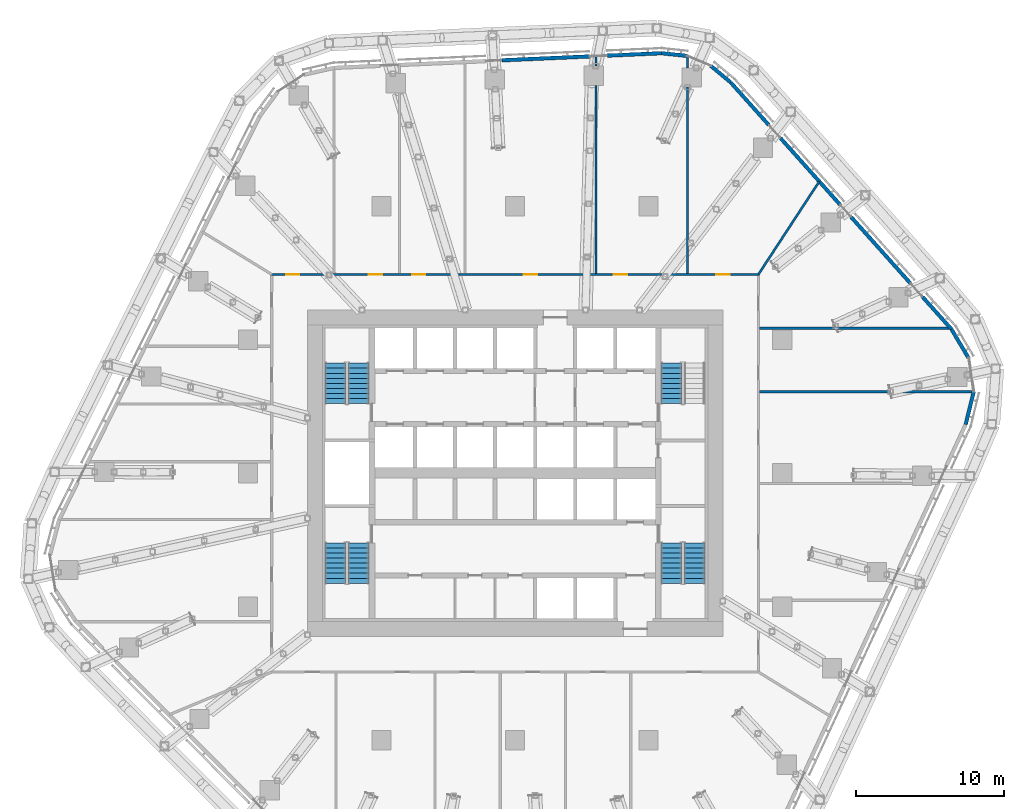
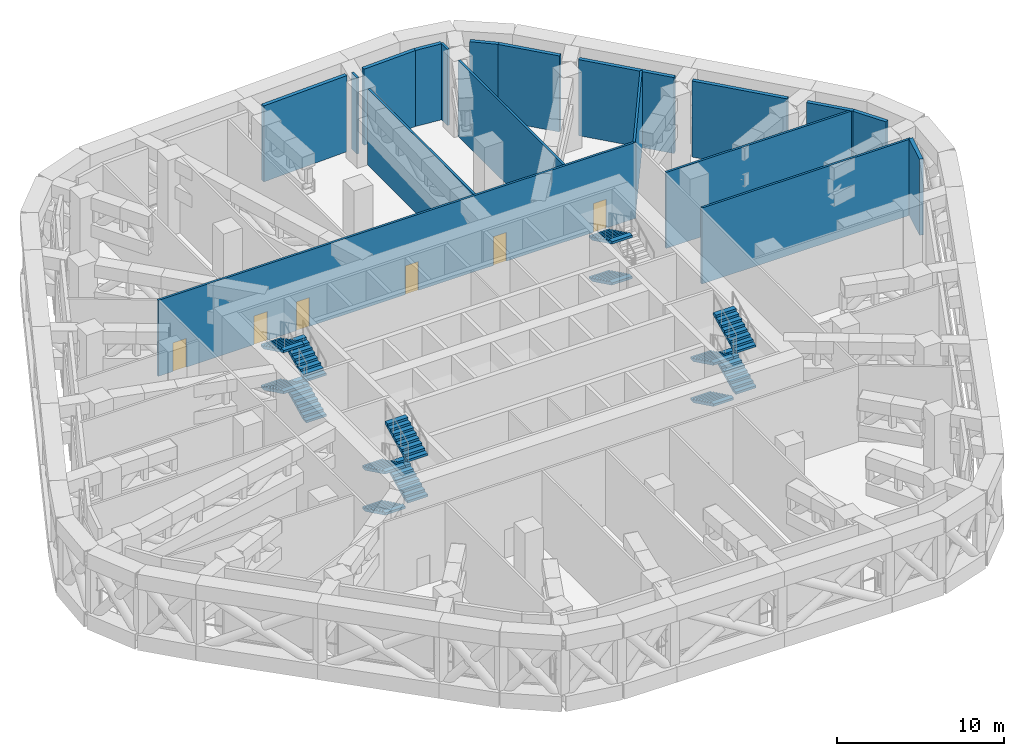
# One storey, part 19 of 30: 18 walls, 14 stair flights, 6 doors, 6 openings, 4 elements without a shape of their own.
"""IFC4 building model written with IfcOpenShell, lengths in metres."""

import ifcopenshell
import ifcopenshell.guid

model = None  # the IFC model being written
_history = None  # IfcOwnerHistory: only IFC2X3 demands one
_inside = {}  # id of a spatial element -> (the spatial element, [elements in it])
_under = {}  # id of a project, library or spatial element -> (it, [spatial elements below it])
_declared = {}  # id of a project -> (the project, [libraries it declares])
_typed = {}  # id of a type object -> (the type object, [elements of that type])
_made_of = {}  # id of a material, layer set ... -> (it, [elements and type objects made of it])


def new_model(schema):
    """Start an empty IFC model of exactly this schema.

    Asked for "IFC4X3", IfcOpenShell would pick the latest addendum, in which some entities
    have other attributes; the version numbers below select the first issue.
    IFC2X3 requires an IfcOwnerHistory on every rooted entity: one is made here for all.
    """
    global model, _history
    if schema == "IFC4X3":
        model = ifcopenshell.file(schema_version=(4, 3, 0, 0))
    else:
        model = ifcopenshell.file(schema=schema)
    _inside.clear()
    _under.clear()
    _declared.clear()
    _typed.clear()
    _made_of.clear()
    _history = None
    if model.schema == "IFC2X3":
        org = make("IfcOrganization", Name="unknown")
        user = make(
            "IfcPersonAndOrganization",
            ThePerson=make("IfcPerson", FamilyName="unknown"),
            TheOrganization=org,
        )
        app = make(
            "IfcApplication",
            ApplicationDeveloper=org,
            Version="unknown",
            ApplicationFullName="unknown",
            ApplicationIdentifier="unknown",
        )
        _history = make(
            "IfcOwnerHistory",
            OwningUser=user,
            OwningApplication=app,
            ChangeAction="ADDED",
            CreationDate=0,
        )
    return model


def make(cls, **values):
    """One entity of the class cls with the attributes given. An attribute that is None is left unset."""
    return model.create_entity(
        cls, **{name: value for name, value in values.items() if value is not None}
    )


def rooted(cls, **values):
    """An entity with a GlobalId (a new one), such as an element, a storey or a relation."""
    return make(cls, GlobalId=ifcopenshell.guid.new(), OwnerHistory=_history, **values)


def si_unit(unit_type, name, prefix=None):
    """IfcSIUnit, for example si_unit("LENGTHUNIT", "METRE", prefix="MILLI")."""
    return make("IfcSIUnit", UnitType=unit_type, Prefix=prefix, Name=name)


def assignment(units):
    """IfcUnitAssignment: the units of a project."""
    return None if units is None else make("IfcUnitAssignment", Units=units)


def point(xyz):
    """IfcCartesianPoint."""
    return None if xyz is None else make("IfcCartesianPoint", Coordinates=xyz)


def direction(xyz):
    """IfcDirection."""
    return None if xyz is None else make("IfcDirection", DirectionRatios=xyz)


def frame(location, z_axis=None, x_axis=None):
    """IfcAxis2Placement3D, a coordinate frame: its origin and axes. An axis left out is left unset."""
    return make(
        "IfcAxis2Placement3D",
        Location=point(location),
        Axis=direction(z_axis),
        RefDirection=direction(x_axis),
    )


def frame_2d(location, x_axis=None):
    """IfcAxis2Placement2D, a coordinate frame in the plane: its origin and x axis."""
    return make(
        "IfcAxis2Placement2D", Location=point(location), RefDirection=direction(x_axis)
    )


def origin():
    """The frame at (0, 0, 0) with its axes left unset."""
    return frame((0.0, 0.0, 0.0))


def place(relative_to, where):
    """IfcLocalPlacement: puts the frame where relative to a parent placement (None: the world)."""
    return make(
        "IfcLocalPlacement", PlacementRelTo=relative_to, RelativePlacement=where
    )


def context(
    kind, dimensions, precision=None, world=None, true_north=None, identifier=None
):
    """IfcGeometricRepresentationContext, for example the 3D "Model" context."""
    return make(
        "IfcGeometricRepresentationContext",
        ContextIdentifier=identifier,
        ContextType=kind,
        CoordinateSpaceDimension=dimensions,
        Precision=precision,
        WorldCoordinateSystem=world,
        TrueNorth=true_north,
    )


def subcontext(parent, identifier, kind, view, scale=None):
    """IfcGeometricRepresentationSubContext, for example "Body" below "Model"."""
    return make(
        "IfcGeometricRepresentationSubContext",
        ContextIdentifier=identifier,
        ContextType=kind,
        ParentContext=parent,
        TargetScale=scale,
        TargetView=view,
    )


def project(units=None, contexts=None):
    """IfcProject with its units and contexts."""
    return rooted(
        "IfcProject",
        Name="project",
        RepresentationContexts=contexts,
        UnitsInContext=assignment(units),
    )


def spatial(cls, under=None, at=None, **own):
    """A site, building, storey or space (cls), placed at a placement, below another one or the project."""
    s = rooted(cls, ObjectPlacement=at, **own)
    if under is not None:
        _under.setdefault(under.id(), (under, []))[1].append(s)
    return s


def polyline(points):
    """IfcPolyline through the points."""
    return make("IfcPolyline", Points=[point(p) for p in points])


def profile(cls, at=None, kind="AREA", **sizes):
    """A parametric profile (cls). Its sizes go by their IFC names, for example OverallWidth=200.0."""
    return make(cls, ProfileType=kind, Position=at, **sizes)


def rectangle(**sizes):
    """IfcRectangleProfileDef."""
    return profile("IfcRectangleProfileDef", **sizes)


def outline(outer, holes=None, kind="AREA"):
    """IfcArbitraryClosedProfileDef: a profile drawn as a closed curve; with holes, ...WithVoids."""
    if holes is None:
        return make("IfcArbitraryClosedProfileDef", ProfileType=kind, OuterCurve=outer)
    return make(
        "IfcArbitraryProfileDefWithVoids",
        ProfileType=kind,
        OuterCurve=outer,
        InnerCurves=holes,
    )


def extrude(swept, where, along, depth):
    """IfcExtrudedAreaSolid: the profile swept, set in the frame where, extruded along a direction by depth."""
    return make(
        "IfcExtrudedAreaSolid",
        SweptArea=swept,
        Position=where,
        ExtrudedDirection=direction(along),
        Depth=depth,
    )


def shape(context_of_items, identifier, shape_type, items):
    """IfcShapeRepresentation: the items that make up one representation, for example the "Body"."""
    return make(
        "IfcShapeRepresentation",
        ContextOfItems=context_of_items,
        RepresentationIdentifier=identifier,
        RepresentationType=shape_type,
        Items=items,
    )


def material(Name=None, Category=None):
    """IfcMaterial."""
    return make("IfcMaterial", Name=Name, Category=Category)


def layer(
    of_material, thickness, ventilated=None, Name=None, Category=None, Priority=None
):
    """IfcMaterialLayer: one layer of a wall or slab, of a material (None: an air gap)."""
    return make(
        "IfcMaterialLayer",
        Material=of_material,
        LayerThickness=thickness,
        IsVentilated=ventilated,
        Name=Name,
        Category=Category,
        Priority=Priority,
    )


def layer_set(layers, Name=None):
    """IfcMaterialLayerSet."""
    return make("IfcMaterialLayerSet", MaterialLayers=layers, LayerSetName=Name)


def made_of(thing, what):
    """Note that an element or type object is made of a material, layer set ...; save() writes the relation."""
    if what is not None:
        _made_of.setdefault(what.id(), (what, []))[1].append(thing)
    return thing


def type_object(cls, material=None, **own):
    """A type object (cls), such as IfcWallType, which elements share."""
    return made_of(rooted(cls, **own), material)


def element(
    cls,
    number,
    at=None,
    inside=None,
    cuts=None,
    type_object=None,
    material=None,
    context=None,
    identifier="Body",
    shape_type=None,
    held_by="IfcProductDefinitionShape",
    body=None,
    shapes=None,
    **own,
):
    """One element of the class cls, such as IfcWall. Its Tag is "e" and its number.

    at: its placement. inside: the storey or other place that contains it. cuts: it is an
    opening in that element (IfcRelVoidsElement). A single representation is given by context,
    identifier, shape_type and body (its items); several are given by shapes. held_by: the class
    of the entity that holds the representations. save() writes the other relations.
    """
    e = rooted(cls, Tag="e%d" % number, ObjectPlacement=at, **own)
    if body is not None:
        shapes = [shape(context, identifier, shape_type, body)]
    if shapes is not None:
        e.Representation = make(held_by, Representations=shapes)
    if inside is not None:
        _inside.setdefault(inside.id(), (inside, []))[1].append(e)
    if cuts is not None:
        rooted(
            "IfcRelVoidsElement", RelatingBuildingElement=cuts, RelatedOpeningElement=e
        )
    if type_object is not None:
        _typed.setdefault(type_object.id(), (type_object, []))[1].append(e)
    return made_of(e, material)


def fill(opening, filler):
    """IfcRelFillsElement: the door or window that sits in an opening."""
    return rooted(
        "IfcRelFillsElement",
        RelatingOpeningElement=opening,
        RelatedBuildingElement=filler,
    )


def aggregate(whole, parts):
    """IfcRelAggregates: a whole, such as a stair, and the parts it consists of."""
    return rooted("IfcRelAggregates", RelatingObject=whole, RelatedObjects=parts)


def save(model, path):
    """Write the relations noted so far, then the file.

    IfcRelAggregates (storeys below a building ...), IfcRelContainedInSpatialStructure (elements
    in a storey), IfcRelDefinesByType, IfcRelAssociatesMaterial and IfcRelDeclares: one each for
    every whole, place, type object, material and project.
    """
    for whole, parts in _under.values():
        aggregate(whole, parts)
    for where, things in _inside.values():
        rooted(
            "IfcRelContainedInSpatialStructure",
            RelatedElements=things,
            RelatingStructure=where,
        )
    for kind, things in _typed.values():
        rooted("IfcRelDefinesByType", RelatedObjects=things, RelatingType=kind)
    for what, things in _made_of.values():
        rooted("IfcRelAssociatesMaterial", RelatedObjects=things, RelatingMaterial=what)
    for by, libraries in _declared.values():
        rooted("IfcRelDeclares", RelatingContext=by, RelatedDefinitions=libraries)
    model.write(path)


model = new_model("IFC4")

# Units and contexts
model_context = context("Model", 3, precision=1e-05, world=origin(), true_north=direction((0.0, 1.0)))
body_context = subcontext(model_context, "Body", "Model", "MODEL_VIEW")
ifc_project = project(units=[si_unit("LENGTHUNIT", "METRE"), si_unit("AREAUNIT", "SQUARE_METRE"), si_unit("VOLUMEUNIT", "CUBIC_METRE"), si_unit("PLANEANGLEUNIT", "RADIAN"), si_unit("MASSUNIT", "GRAM", prefix="KILO")], contexts=[model_context])

# Site, building, storey
site_placement = place(None, origin())
site = spatial("IfcSite", under=ifc_project, at=site_placement, CompositionType="ELEMENT")
building_placement = place(site_placement, origin())
building = spatial("IfcBuilding", under=site, at=building_placement, Name="Dongbaek Canopy Tower", CompositionType="ELEMENT")
storey_placement = place(building_placement, frame((0.0, 0.0, 145.60009765625)))
storey = spatial("IfcBuildingStorey", under=building, at=storey_placement, Name="L32", CompositionType="ELEMENT", Elevation=145.60009765625)

# Walls
ifc_material_1 = material(Name="Gypsum board partition, steel stud, 2 x 15 mm fire board", Category="steel")
ifc_layer_1 = layer(ifc_material_1, 0.14990234375)
ifc_layer_set_1 = layer_set([ifc_layer_1], Name="Fire-rated partition 150 gypsum board")
wall_type_1 = type_object("IfcWallType", Name="Fire-rated partition 150 gypsum board", PredefinedType="PARTITIONING", material=ifc_layer_set_1)
wall_1_placement = place(storey_placement, frame((16.47509765625, 5.4951171875, 0.0), z_axis=(0.0, 0.0, 1.0), x_axis=(1.0, 0.0, 0.0)))
element("IfcWall", 1, at=wall_1_placement, inside=storey, type_object=wall_type_1, Name="Corridor partition", PredefinedType="PARTITIONING", context=body_context, shape_type="SweptSolid", body=[
    extrude(rectangle(XDim=14.424072265625, YDim=0.14990234375, at=frame_2d((7.2119140625, 0.0))), origin(), (0.0, 0.0, 1.0), 5.5498046875),
])
wall_2_placement = place(storey_placement, frame((16.47509765625, 9.77099609375, 0.0), z_axis=(0.0, 0.0, 1.0), x_axis=(1.0, 0.0, 0.0)))
element("IfcWall", 2, at=wall_2_placement, inside=storey, type_object=wall_type_1, Name="Corridor partition", PredefinedType="PARTITIONING", context=body_context, shape_type="SweptSolid", body=[
    extrude(rectangle(XDim=12.86474609375, YDim=0.14990234375, at=frame_2d((6.432373046875, 0.0))), origin(), (0.0, 0.0, 1.0), 5.5498046875),
])

# Wall, openings, doors
wall_3_placement = place(storey_placement, frame((-16.47509765625, 13.39990234375, 0.0), z_axis=(0.0, 0.0, 1.0), x_axis=(1.0, 0.0, 0.0)))
wall_3 = element("IfcWall", 3, at=wall_3_placement, inside=storey, type_object=wall_type_1, Name="Corridor partition", PredefinedType="PARTITIONING", context=body_context, shape_type="SweptSolid", body=[
    extrude(rectangle(XDim=32.9501953125, YDim=0.14990234375, at=frame_2d((16.47509765625, 0.0))), origin(), (0.0, 0.0, 1.0), 5.5498046875),
])
opening_1_placement = place(wall_3_placement, frame((30.035888671875, 0.0, 0.0)))
opening_1 = element("IfcOpeningElement", 4, at=opening_1_placement, cuts=wall_3, Name="Opening L32-D015", PredefinedType="OPENING", context=body_context, shape_type="SweptSolid", body=[
    extrude(rectangle(XDim=0.89990234375, YDim=2.10009765625, at=frame_2d((0.449951171875, 1.050048828125))), frame((0.0, 0.0849609375, 0.0), z_axis=(0.0, -1.0, 0.0), x_axis=(1.0, 0.0, 0.0)), (0.0, 0.0, 1.0), 0.169921875),
])
opening_2_placement = place(wall_3_placement, frame((23.12939453125, 0.0, 0.0)))
opening_2 = element("IfcOpeningElement", 5, at=opening_2_placement, cuts=wall_3, Name="Opening L32-D016", PredefinedType="OPENING", context=body_context, shape_type="SweptSolid", body=[
    extrude(rectangle(XDim=0.89990234375, YDim=2.10009765625, at=frame_2d((0.449951171875, 1.050048828125))), frame((0.0, 0.0849609375, 0.0), z_axis=(0.0, -1.0, 0.0), x_axis=(1.0, 0.0, 0.0)), (0.0, 0.0, 1.0), 0.169921875),
])
opening_3_placement = place(wall_3_placement, frame((17.05859375, 0.0, 0.0)))
opening_3 = element("IfcOpeningElement", 6, at=opening_3_placement, cuts=wall_3, Name="Opening L32-D017", PredefinedType="OPENING", context=body_context, shape_type="SweptSolid", body=[
    extrude(rectangle(XDim=0.89990234375, YDim=2.10009765625, at=frame_2d((0.449951171875, 1.050048828125))), frame((0.0, 0.0849609375, 0.0), z_axis=(0.0, -1.0, 0.0), x_axis=(1.0, 0.0, 0.0)), (0.0, 0.0, 1.0), 0.169921875),
])
opening_4_placement = place(wall_3_placement, frame((9.528564453125, 0.0, 0.0)))
opening_4 = element("IfcOpeningElement", 7, at=opening_4_placement, cuts=wall_3, Name="Opening L32-D018", PredefinedType="OPENING", context=body_context, shape_type="SweptSolid", body=[
    extrude(rectangle(XDim=0.89990234375, YDim=2.10009765625, at=frame_2d((0.449951171875, 1.050048828125))), frame((0.0, 0.0849609375, 0.0), z_axis=(0.0, -1.0, 0.0), x_axis=(1.0, 0.0, 0.0)), (0.0, 0.0, 1.0), 0.169921875),
])
opening_5_placement = place(wall_3_placement, frame((6.6201171875, 0.0, 0.0)))
opening_5 = element("IfcOpeningElement", 8, at=opening_5_placement, cuts=wall_3, Name="Opening L32-D019", PredefinedType="OPENING", context=body_context, shape_type="SweptSolid", body=[
    extrude(rectangle(XDim=0.89990234375, YDim=2.10009765625, at=frame_2d((0.449951171875, 1.050048828125))), frame((0.0, 0.0849609375, 0.0), z_axis=(0.0, -1.0, 0.0), x_axis=(1.0, 0.0, 0.0)), (0.0, 0.0, 1.0), 0.169921875),
])
opening_6_placement = place(wall_3_placement, frame((1.03125, 0.0, 0.0)))
opening_6 = element("IfcOpeningElement", 9, at=opening_6_placement, cuts=wall_3, Name="Opening L32-D020", PredefinedType="OPENING", context=body_context, shape_type="SweptSolid", body=[
    extrude(rectangle(XDim=0.89990234375, YDim=2.10009765625, at=frame_2d((0.449951171875, 1.050048828125))), frame((0.0, 0.0849609375, 0.0), z_axis=(0.0, -1.0, 0.0), x_axis=(1.0, 0.0, 0.0)), (0.0, 0.0, 1.0), 0.169921875),
])
ifc_material_2 = material(Name="Timber veneered door leaf", Category="wood")
door_type_1 = type_object("IfcDoorType", Name="Room door 900 x 2100", OperationType="SINGLE_SWING_LEFT", PredefinedType="DOOR", material=ifc_material_2)
door_1_placement = place(opening_2_placement, origin())
door_1 = element("IfcDoor", 10, at=door_1_placement, inside=storey, type_object=door_type_1, Name="Door L32-D016", OperationType="SINGLE_SWING_LEFT", OverallHeight=2.10009765625, OverallWidth=0.89990234375, PredefinedType="DOOR", context=body_context, shape_type="SweptSolid", body=[
    extrude(rectangle(XDim=0.89990234375, YDim=2.10009765625, at=frame_2d((0.449951171875, 1.050048828125))), frame((0.0, 0.02490234375, 0.0), z_axis=(0.0, -1.0, 0.0), x_axis=(1.0, 0.0, 0.0)), (0.0, 0.0, 1.0), 0.050048828125),
])
fill(opening_2, door_1)
door_2_placement = place(opening_3_placement, origin())
door_2 = element("IfcDoor", 11, at=door_2_placement, inside=storey, type_object=door_type_1, Name="Door L32-D017", OperationType="SINGLE_SWING_RIGHT", OverallHeight=2.10009765625, OverallWidth=0.89990234375, PredefinedType="DOOR", context=body_context, shape_type="SweptSolid", body=[
    extrude(rectangle(XDim=0.89990234375, YDim=2.10009765625, at=frame_2d((0.449951171875, 1.050048828125))), frame((0.0, 0.02490234375, 0.0), z_axis=(0.0, -1.0, 0.0), x_axis=(1.0, 0.0, 0.0)), (0.0, 0.0, 1.0), 0.050048828125),
])
fill(opening_3, door_2)
ifc_material_3 = material(Name="Timber veneered door leaf", Category="wood")
door_type_2 = type_object("IfcDoorType", Name="Store door 900 x 2100", OperationType="SINGLE_SWING_LEFT", PredefinedType="DOOR", material=ifc_material_3)
door_3_placement = place(opening_1_placement, origin())
door_3 = element("IfcDoor", 12, at=door_3_placement, inside=storey, type_object=door_type_2, Name="Door L32-D015", OperationType="SINGLE_SWING_RIGHT", OverallHeight=2.10009765625, OverallWidth=0.89990234375, PredefinedType="DOOR", context=body_context, shape_type="SweptSolid", body=[
    extrude(rectangle(XDim=0.89990234375, YDim=2.10009765625, at=frame_2d((0.449951171875, 1.050048828125))), frame((0.0, 0.02490234375, 0.0), z_axis=(0.0, -1.0, 0.0), x_axis=(1.0, 0.0, 0.0)), (0.0, 0.0, 1.0), 0.050048828125),
])
fill(opening_1, door_3)
door_4_placement = place(opening_4_placement, origin())
door_4 = element("IfcDoor", 13, at=door_4_placement, inside=storey, type_object=door_type_2, Name="Door L32-D018", OperationType="SINGLE_SWING_LEFT", OverallHeight=2.10009765625, OverallWidth=0.89990234375, PredefinedType="DOOR", context=body_context, shape_type="SweptSolid", body=[
    extrude(rectangle(XDim=0.89990234375, YDim=2.10009765625, at=frame_2d((0.449951171875, 1.050048828125))), frame((0.0, 0.02490234375, 0.0), z_axis=(0.0, -1.0, 0.0), x_axis=(1.0, 0.0, 0.0)), (0.0, 0.0, 1.0), 0.050048828125),
])
fill(opening_4, door_4)
door_5_placement = place(opening_5_placement, origin())
door_5 = element("IfcDoor", 14, at=door_5_placement, inside=storey, type_object=door_type_2, Name="Door L32-D019", OperationType="SINGLE_SWING_RIGHT", OverallHeight=2.10009765625, OverallWidth=0.89990234375, PredefinedType="DOOR", context=body_context, shape_type="SweptSolid", body=[
    extrude(rectangle(XDim=0.89990234375, YDim=2.10009765625, at=frame_2d((0.449951171875, 1.050048828125))), frame((0.0, 0.02490234375, 0.0), z_axis=(0.0, -1.0, 0.0), x_axis=(1.0, 0.0, 0.0)), (0.0, 0.0, 1.0), 0.050048828125),
])
fill(opening_5, door_5)
door_6_placement = place(opening_6_placement, origin())
door_6 = element("IfcDoor", 15, at=door_6_placement, inside=storey, type_object=door_type_2, Name="Door L32-D020", OperationType="SINGLE_SWING_LEFT", OverallHeight=2.10009765625, OverallWidth=0.89990234375, PredefinedType="DOOR", context=body_context, shape_type="SweptSolid", body=[
    extrude(rectangle(XDim=0.89990234375, YDim=2.10009765625, at=frame_2d((0.449951171875, 1.050048828125))), frame((0.0, 0.02490234375, 0.0), z_axis=(0.0, -1.0, 0.0), x_axis=(1.0, 0.0, 0.0)), (0.0, 0.0, 1.0), 0.050048828125),
])
fill(opening_6, door_6)

# Walls
wall_4_placement = place(storey_placement, frame((16.400390625, 13.39990234375, 0.0), z_axis=(0.0, 0.0, 1.0), x_axis=(0.547576489489, 0.836755632284, 0.0)))
element("IfcWall", 16, at=wall_4_placement, inside=storey, type_object=wall_type_1, Name="Corridor partition", PredefinedType="PARTITIONING", context=body_context, shape_type="SweptSolid", body=[
    extrude(rectangle(XDim=7.479248046875, YDim=0.14990234375, at=frame_2d((3.73974609375, 0.0))), origin(), (0.0, 0.0, 1.0), 5.5498046875),
])
wall_5_placement = place(storey_placement, frame((11.6220703125, 13.47509765625, 0.0), z_axis=(0.0, 0.0, 1.0), x_axis=(0.0, 1.0, 0.0)))
element("IfcWall", 17, at=wall_5_placement, inside=storey, type_object=wall_type_1, Name="Corridor partition", PredefinedType="PARTITIONING", context=body_context, shape_type="SweptSolid", body=[
    extrude(rectangle(XDim=12.548828125, YDim=0.14990234375, at=frame_2d((6.2744140625, 0.0))), origin(), (0.0, 0.0, 1.0), 5.5498046875),
])
wall_6_placement = place(storey_placement, frame((11.6220703125, 27.323974609375, 0.0), z_axis=(0.0, 0.0, 1.0), x_axis=(0.0, 1.0, 0.0)))
element("IfcWall", 18, at=wall_6_placement, inside=storey, type_object=wall_type_1, Name="Corridor partition", PredefinedType="PARTITIONING", context=body_context, shape_type="SweptSolid", body=[
    extrude(rectangle(XDim=0.78125, YDim=0.14990234375, at=frame_2d((0.390625, 0.0))), origin(), (0.0, 0.0, 1.0), 5.5498046875),
])
wall_7_placement = place(storey_placement, frame((5.449951171875, 13.47509765625, 0.0), z_axis=(0.0, 0.0, 1.0), x_axis=(0.0, 1.0, 0.0)))
element("IfcWall", 19, at=wall_7_placement, inside=storey, type_object=wall_type_1, Name="Corridor partition", PredefinedType="PARTITIONING", context=body_context, shape_type="SweptSolid", body=[
    extrude(rectangle(XDim=12.6728515625, YDim=0.14990234375, at=frame_2d((6.33642578125, 0.0))), origin(), (0.0, 0.0, 1.0), 5.5498046875),
])
wall_8_placement = place(storey_placement, frame((5.449951171875, 27.447998046875, 0.0), z_axis=(0.0, 0.0, 1.0), x_axis=(0.0, 1.0, 0.0)))
element("IfcWall", 20, at=wall_8_placement, inside=storey, type_object=wall_type_1, Name="Corridor partition", PredefinedType="PARTITIONING", context=body_context, shape_type="SweptSolid", body=[
    extrude(rectangle(XDim=0.653076171875, YDim=0.14990234375, at=frame_2d((0.32666015625, 0.0))), origin(), (0.0, 0.0, 1.0), 5.5498046875),
])
ifc_material_4 = material(Name="Pale metal cladding on insulated wall")
ifc_layer_2 = layer(ifc_material_4, 0.25)
ifc_layer_set_2 = layer_set([ifc_layer_2], Name="Plant floor wall 250")
wall_type_2 = type_object("IfcWallType", Name="Plant floor wall 250", PredefinedType="SOLIDWALL", material=ifc_layer_set_2)
wall_9_placement = place(storey_placement, frame((30.37841796875, 3.2822265625, 0.0), z_axis=(0.0, 0.0, 1.0), x_axis=(0.237601077283, 0.971362819998, 0.0)))
element("IfcWall", 21, at=wall_9_placement, inside=storey, type_object=wall_type_2, Name="Plant wall L32 K0 1", PredefinedType="SOLIDWALL", context=body_context, shape_type="SweptSolid", body=[
    extrude(rectangle(XDim=2.283203125, YDim=0.25, at=frame_2d((1.1416015625, 0.0))), origin(), (0.0, 0.0, 1.0), 5.5498046875),
])
wall_10_placement = place(storey_placement, frame((30.585693359375, 7.74853515625, 0.0), z_axis=(0.0, 0.0, 1.0), x_axis=(-0.510543694861, 0.859851810277, 0.0)))
element("IfcWall", 22, at=wall_10_placement, inside=storey, type_object=wall_type_2, Name="Plant wall L32 K0 2", PredefinedType="SOLIDWALL", context=body_context, shape_type="SweptSolid", body=[
    extrude(rectangle(XDim=2.283447265625, YDim=0.25, at=frame_2d((1.1416015625, 0.0))), origin(), (0.0, 0.0, 1.0), 5.5498046875),
])
wall_11_placement = place(storey_placement, frame((29.419921875, 9.7119140625, 0.0), z_axis=(0.0, 0.0, 1.0), x_axis=(-0.666716813435, 0.74531113683, 0.0)))
element("IfcWall", 23, at=wall_11_placement, inside=storey, type_object=wall_type_2, Name="Plant wall L32 F0 1", PredefinedType="SOLIDWALL", context=body_context, shape_type="SweptSolid", body=[
    extrude(rectangle(XDim=2.92626953125, YDim=0.25, at=frame_2d((1.463134765625, 0.0))), origin(), (0.0, 0.0, 1.0), 5.5498046875),
])
wall_12_placement = place(storey_placement, frame((26.648193359375, 12.810302734375, 0.0), z_axis=(0.0, 0.0, 1.0), x_axis=(-0.666711259846, 0.745316104747, 0.0)))
element("IfcWall", 24, at=wall_12_placement, inside=storey, type_object=wall_type_2, Name="Plant wall L32 F0 2", PredefinedType="SOLIDWALL", context=body_context, shape_type="SweptSolid", body=[
    extrude(rectangle(XDim=5.975830078125, YDim=0.25, at=frame_2d((2.98779296875, 0.0))), origin(), (0.0, 0.0, 1.0), 5.5498046875),
])
wall_13_placement = place(storey_placement, frame((21.9140625, 18.1025390625, 0.0), z_axis=(0.0, 0.0, 1.0), x_axis=(-0.666722592177, 0.745305967426, 0.0)))
element("IfcWall", 25, at=wall_13_placement, inside=storey, type_object=wall_type_2, Name="Plant wall L32 F0 3", PredefinedType="SOLIDWALL", context=body_context, shape_type="SweptSolid", body=[
    extrude(rectangle(XDim=6.02392578125, YDim=0.25, at=frame_2d((3.011962890625, 0.0))), origin(), (0.0, 0.0, 1.0), 5.5498046875),
])
wall_14_placement = place(storey_placement, frame((17.110107421875, 23.472900390625, 0.0), z_axis=(0.0, 0.0, 1.0), x_axis=(-0.666726487427, 0.745302482864, 0.0)))
element("IfcWall", 26, at=wall_14_placement, inside=storey, type_object=wall_type_2, Name="Plant wall L32 F0 4", PredefinedType="SOLIDWALL", context=body_context, shape_type="SweptSolid", body=[
    extrude(rectangle(XDim=3.862060546875, YDim=0.25, at=frame_2d((1.93115234375, 0.0))), origin(), (0.0, 0.0, 1.0), 5.5498046875),
])
for number, where, z_axis, x_axis, name in (
    (27, (14.53515625, 26.351318359375, 0.0), (0.0, 0.0, 1.0), (-0.76907061237, 0.639163823436, 0.0), "Plant wall L32 K1 1"),
    (28, (11.5966796875, 28.1376953125, 0.0), (0.0, 0.0, 1.0), (-0.99468140225, 0.102999553487, 0.0), "Plant wall L32 K1 2"),
):
    element("IfcWall", number, at=place(storey_placement, frame(where, z_axis=z_axis, x_axis=x_axis)), inside=storey, type_object=wall_type_2, Name=name, PredefinedType="SOLIDWALL", context=body_context, shape_type="SweptSolid", body=[
        extrude(rectangle(XDim=1.7421875, YDim=0.25, at=frame_2d((0.87109375, 0.0))), origin(), (0.0, 0.0, 1.0), 5.5498046875),
    ])
wall_15_placement = place(storey_placement, frame((9.86376953125, 28.317138671875, 0.0), z_axis=(0.0, 0.0, 1.0), x_axis=(-0.999014003877, -0.044396171651, 0.0)))
element("IfcWall", 29, at=wall_15_placement, inside=storey, type_object=wall_type_2, Name="Plant wall L32 F1 1", PredefinedType="SOLIDWALL", context=body_context, shape_type="SweptSolid", body=[
    extrude(rectangle(XDim=3.656982421875, YDim=0.25, at=frame_2d((1.82861328125, 0.0))), origin(), (0.0, 0.0, 1.0), 5.5498046875),
])
wall_16_placement = place(storey_placement, frame((5.007568359375, 28.101318359375, 0.0), z_axis=(0.0, 0.0, 1.0), x_axis=(-0.999016251503, -0.044345566112, 0.0)))
element("IfcWall", 30, at=wall_16_placement, inside=storey, type_object=wall_type_2, Name="Plant wall L32 F1 2", PredefinedType="SOLIDWALL", context=body_context, shape_type="SweptSolid", body=[
    extrude(rectangle(XDim=5.90185546875, YDim=0.25, at=frame_2d((2.950927734375, 0.0))), origin(), (0.0, 0.0, 1.0), 5.5498046875),
])

# Stair, stair flights
ifc_material_5 = material(Name="Concrete C40/50", Category="concrete")
stair_type = type_object("IfcStairType", Name="Core exit stair", PredefinedType="HALF_TURN_STAIR", material=ifc_material_5)
stair_1_placement = place(storey_placement, origin())
stair_1 = element("IfcStair", 31, at=stair_1_placement, inside=storey, type_object=stair_type, Name="L32 exit stair A", PredefinedType="HALF_TURN_STAIR")
ifc_material_6 = material(Name="Concrete C40/50", Category="concrete")
ifc_layer_3 = layer(ifc_material_6, 0.14990234375)
ifc_layer_set_3 = layer_set([ifc_layer_3], Name="Core stair flight 150 waist")
stair_flight_type = type_object("IfcStairFlightType", Name="Core stair flight 150 waist", PredefinedType="STRAIGHT", material=ifc_layer_set_3)
stair_flight_1_placement = place(storey_placement, frame((10.550048828125, 7.419921875, 1.5), z_axis=(0.0, 0.0, 1.0), x_axis=(0.0, -1.0, 0.0)))
stair_flight_1 = element("IfcStairFlight", 32, at=stair_flight_1_placement, type_object=stair_flight_type, Name="ST-A flight 2", NumberOfRisers=9, NumberOfTreads=8, PredefinedType="STRAIGHT", RiserHeight=0.166666667, TreadLength=0.34, context=body_context, shape_type="SweptSolid", body=[
    extrude(outline(polyline([(0.0, 0.0), (0.0, 0.166748046875), (0.340087890625, 0.166748046875), (0.340087890625, 0.333251953125), (0.679931640625, 0.333251953125), (0.679931640625, 0.5), (1.02001953125, 0.5), (1.02001953125, 0.666748046875), (1.360107421875, 0.666748046875), (1.360107421875, 0.833251953125), (1.699951171875, 0.833251953125), (1.699951171875, 1.0), (2.0400390625, 1.0), (2.0400390625, 1.166748046875), (2.3798828125, 1.166748046875), (2.3798828125, 1.333251953125), (2.719970703125, 1.333251953125), (2.719970703125, 1.5), (2.719970703125, 1.16650390625), (0.340576171875, 0.0), (0.0, 0.0)])), frame((0.0, 0.699951171875, 0.0), z_axis=(0.0, -1.0, 0.0), x_axis=(1.0, 0.0, 0.0)), (0.0, 0.0, 1.0), 1.39990234375),
])
stair_flight_2_placement = place(storey_placement, frame((10.550048828125, 7.419921875, 4.5), z_axis=(0.0, 0.0, 1.0), x_axis=(0.0, -1.0, 0.0)))
stair_flight_2 = element("IfcStairFlight", 33, at=stair_flight_2_placement, type_object=stair_flight_type, Name="ST-A flight 4", NumberOfRisers=9, NumberOfTreads=8, PredefinedType="STRAIGHT", RiserHeight=0.166666667, TreadLength=0.34, context=body_context, shape_type="SweptSolid", body=[
    extrude(outline(polyline([(0.0, 0.0), (0.0, 0.166748046875), (0.340087890625, 0.166748046875), (0.340087890625, 0.333251953125), (0.679931640625, 0.333251953125), (0.679931640625, 0.5), (1.02001953125, 0.5), (1.02001953125, 0.666748046875), (1.360107421875, 0.666748046875), (1.360107421875, 0.833251953125), (1.699951171875, 0.833251953125), (1.699951171875, 1.0), (2.0400390625, 1.0), (2.0400390625, 1.166748046875), (2.3798828125, 1.166748046875), (2.3798828125, 1.333251953125), (2.719970703125, 1.333251953125), (2.719970703125, 1.5), (2.719970703125, 1.16650390625), (0.340576171875, 0.0), (0.0, 0.0)])), frame((0.0, 0.699951171875, 0.0), z_axis=(0.0, -1.0, 0.0), x_axis=(1.0, 0.0, 0.0)), (0.0, 0.0, 1.0), 1.39990234375),
])
aggregate(stair_1, [stair_flight_1, stair_flight_2])

stair_2_placement = place(storey_placement, origin())
stair_2 = element("IfcStair", 34, at=stair_2_placement, inside=storey, type_object=stair_type, Name="L32 exit stair C", PredefinedType="HALF_TURN_STAIR")
stair_flight_3_placement = place(storey_placement, frame((-10.550048828125, 4.699951171875, 0.0), z_axis=(0.0, 0.0, 1.0), x_axis=(0.0, 1.0, 0.0)))
stair_flight_3 = element("IfcStairFlight", 35, at=stair_flight_3_placement, type_object=stair_flight_type, Name="ST-C flight 1", NumberOfRisers=9, NumberOfTreads=8, PredefinedType="STRAIGHT", RiserHeight=0.166666667, TreadLength=0.34, context=body_context, shape_type="SweptSolid", body=[
    extrude(outline(polyline([(0.0, 0.0), (0.0, 0.166748046875), (0.340087890625, 0.166748046875), (0.340087890625, 0.333251953125), (0.679931640625, 0.333251953125), (0.679931640625, 0.5), (1.02001953125, 0.5), (1.02001953125, 0.666748046875), (1.360107421875, 0.666748046875), (1.360107421875, 0.833251953125), (1.699951171875, 0.833251953125), (1.699951171875, 1.0), (2.0400390625, 1.0), (2.0400390625, 1.166748046875), (2.3798828125, 1.166748046875), (2.3798828125, 1.333251953125), (2.719970703125, 1.333251953125), (2.719970703125, 1.5), (2.719970703125, 1.16650390625), (0.340576171875, 0.0), (0.0, 0.0)])), frame((0.0, 0.699951171875, 0.0), z_axis=(0.0, -1.0, 0.0), x_axis=(1.0, 0.0, 0.0)), (0.0, 0.0, 1.0), 1.39990234375),
])
stair_flight_4_placement = place(storey_placement, frame((-12.10009765625, 7.419921875, 1.5), z_axis=(0.0, 0.0, 1.0), x_axis=(0.0, -1.0, 0.0)))
stair_flight_4 = element("IfcStairFlight", 36, at=stair_flight_4_placement, type_object=stair_flight_type, Name="ST-C flight 2", NumberOfRisers=9, NumberOfTreads=8, PredefinedType="STRAIGHT", RiserHeight=0.166666667, TreadLength=0.34, context=body_context, shape_type="SweptSolid", body=[
    extrude(outline(polyline([(0.0, 0.0), (0.0, 0.166748046875), (0.340087890625, 0.166748046875), (0.340087890625, 0.333251953125), (0.679931640625, 0.333251953125), (0.679931640625, 0.5), (1.02001953125, 0.5), (1.02001953125, 0.666748046875), (1.360107421875, 0.666748046875), (1.360107421875, 0.833251953125), (1.699951171875, 0.833251953125), (1.699951171875, 1.0), (2.0400390625, 1.0), (2.0400390625, 1.166748046875), (2.3798828125, 1.166748046875), (2.3798828125, 1.333251953125), (2.719970703125, 1.333251953125), (2.719970703125, 1.5), (2.719970703125, 1.16650390625), (0.340576171875, 0.0), (0.0, 0.0)])), frame((0.0, 0.699951171875, 0.0), z_axis=(0.0, -1.0, 0.0), x_axis=(1.0, 0.0, 0.0)), (0.0, 0.0, 1.0), 1.39990234375),
])
stair_flight_5_placement = place(storey_placement, frame((-10.550048828125, 4.699951171875, 3.0), z_axis=(0.0, 0.0, 1.0), x_axis=(0.0, 1.0, 0.0)))
stair_flight_5 = element("IfcStairFlight", 37, at=stair_flight_5_placement, type_object=stair_flight_type, Name="ST-C flight 3", NumberOfRisers=9, NumberOfTreads=8, PredefinedType="STRAIGHT", RiserHeight=0.166666667, TreadLength=0.34, context=body_context, shape_type="SweptSolid", body=[
    extrude(outline(polyline([(0.0, 0.0), (0.0, 0.166748046875), (0.340087890625, 0.166748046875), (0.340087890625, 0.333251953125), (0.679931640625, 0.333251953125), (0.679931640625, 0.5), (1.02001953125, 0.5), (1.02001953125, 0.666748046875), (1.360107421875, 0.666748046875), (1.360107421875, 0.833251953125), (1.699951171875, 0.833251953125), (1.699951171875, 1.0), (2.0400390625, 1.0), (2.0400390625, 1.166748046875), (2.3798828125, 1.166748046875), (2.3798828125, 1.333251953125), (2.719970703125, 1.333251953125), (2.719970703125, 1.5), (2.719970703125, 1.16650390625), (0.340576171875, 0.0), (0.0, 0.0)])), frame((0.0, 0.699951171875, 0.0), z_axis=(0.0, -1.0, 0.0), x_axis=(1.0, 0.0, 0.0)), (0.0, 0.0, 1.0), 1.39990234375),
])
stair_flight_6_placement = place(storey_placement, frame((-12.10009765625, 7.419921875, 4.5), z_axis=(0.0, 0.0, 1.0), x_axis=(0.0, -1.0, 0.0)))
stair_flight_6 = element("IfcStairFlight", 38, at=stair_flight_6_placement, type_object=stair_flight_type, Name="ST-C flight 4", NumberOfRisers=9, NumberOfTreads=8, PredefinedType="STRAIGHT", RiserHeight=0.166666667, TreadLength=0.34, context=body_context, shape_type="SweptSolid", body=[
    extrude(outline(polyline([(0.0, 0.0), (0.0, 0.166748046875), (0.340087890625, 0.166748046875), (0.340087890625, 0.333251953125), (0.679931640625, 0.333251953125), (0.679931640625, 0.5), (1.02001953125, 0.5), (1.02001953125, 0.666748046875), (1.360107421875, 0.666748046875), (1.360107421875, 0.833251953125), (1.699951171875, 0.833251953125), (1.699951171875, 1.0), (2.0400390625, 1.0), (2.0400390625, 1.166748046875), (2.3798828125, 1.166748046875), (2.3798828125, 1.333251953125), (2.719970703125, 1.333251953125), (2.719970703125, 1.5), (2.719970703125, 1.16650390625), (0.340576171875, 0.0), (0.0, 0.0)])), frame((0.0, 0.699951171875, 0.0), z_axis=(0.0, -1.0, 0.0), x_axis=(1.0, 0.0, 0.0)), (0.0, 0.0, 1.0), 1.39990234375),
])
aggregate(stair_2, [stair_flight_3, stair_flight_4, stair_flight_5, stair_flight_6])

stair_3_placement = place(storey_placement, origin())
stair_3 = element("IfcStair", 39, at=stair_3_placement, inside=storey, type_object=stair_type, Name="L32 exit stair B", PredefinedType="HALF_TURN_STAIR")
stair_flight_7_placement = place(storey_placement, frame((10.550048828125, -4.699951171875, 0.0), z_axis=(0.0, 0.0, 1.0), x_axis=(0.0, -1.0, 0.0)))
stair_flight_7 = element("IfcStairFlight", 40, at=stair_flight_7_placement, type_object=stair_flight_type, Name="ST-B flight 1", NumberOfRisers=9, NumberOfTreads=8, PredefinedType="STRAIGHT", RiserHeight=0.166666667, TreadLength=0.34, context=body_context, shape_type="SweptSolid", body=[
    extrude(outline(polyline([(0.0, 0.0), (0.0, 0.166748046875), (0.340087890625, 0.166748046875), (0.340087890625, 0.333251953125), (0.679931640625, 0.333251953125), (0.679931640625, 0.5), (1.02001953125, 0.5), (1.02001953125, 0.666748046875), (1.360107421875, 0.666748046875), (1.360107421875, 0.833251953125), (1.699951171875, 0.833251953125), (1.699951171875, 1.0), (2.0400390625, 1.0), (2.0400390625, 1.166748046875), (2.3798828125, 1.166748046875), (2.3798828125, 1.333251953125), (2.719970703125, 1.333251953125), (2.719970703125, 1.5), (2.719970703125, 1.16650390625), (0.340576171875, 0.0), (0.0, 0.0)])), frame((0.0, 0.699951171875, 0.0), z_axis=(0.0, -1.0, 0.0), x_axis=(1.0, 0.0, 0.0)), (0.0, 0.0, 1.0), 1.39990234375),
])
stair_flight_8_placement = place(storey_placement, frame((12.10009765625, -7.419921875, 1.5), z_axis=(0.0, 0.0, 1.0), x_axis=(0.0, 1.0, 0.0)))
stair_flight_8 = element("IfcStairFlight", 41, at=stair_flight_8_placement, type_object=stair_flight_type, Name="ST-B flight 2", NumberOfRisers=9, NumberOfTreads=8, PredefinedType="STRAIGHT", RiserHeight=0.166666667, TreadLength=0.34, context=body_context, shape_type="SweptSolid", body=[
    extrude(outline(polyline([(0.0, 0.0), (0.0, 0.166748046875), (0.340087890625, 0.166748046875), (0.340087890625, 0.333251953125), (0.679931640625, 0.333251953125), (0.679931640625, 0.5), (1.02001953125, 0.5), (1.02001953125, 0.666748046875), (1.360107421875, 0.666748046875), (1.360107421875, 0.833251953125), (1.699951171875, 0.833251953125), (1.699951171875, 1.0), (2.0400390625, 1.0), (2.0400390625, 1.166748046875), (2.3798828125, 1.166748046875), (2.3798828125, 1.333251953125), (2.719970703125, 1.333251953125), (2.719970703125, 1.5), (2.719970703125, 1.16650390625), (0.340576171875, 0.0), (0.0, 0.0)])), frame((0.0, 0.699951171875, 0.0), z_axis=(0.0, -1.0, 0.0), x_axis=(1.0, 0.0, 0.0)), (0.0, 0.0, 1.0), 1.39990234375),
])
stair_flight_9_placement = place(storey_placement, frame((10.550048828125, -4.699951171875, 3.0), z_axis=(0.0, 0.0, 1.0), x_axis=(0.0, -1.0, 0.0)))
stair_flight_9 = element("IfcStairFlight", 42, at=stair_flight_9_placement, type_object=stair_flight_type, Name="ST-B flight 3", NumberOfRisers=9, NumberOfTreads=8, PredefinedType="STRAIGHT", RiserHeight=0.166666667, TreadLength=0.34, context=body_context, shape_type="SweptSolid", body=[
    extrude(outline(polyline([(0.0, 0.0), (0.0, 0.166748046875), (0.340087890625, 0.166748046875), (0.340087890625, 0.333251953125), (0.679931640625, 0.333251953125), (0.679931640625, 0.5), (1.02001953125, 0.5), (1.02001953125, 0.666748046875), (1.360107421875, 0.666748046875), (1.360107421875, 0.833251953125), (1.699951171875, 0.833251953125), (1.699951171875, 1.0), (2.0400390625, 1.0), (2.0400390625, 1.166748046875), (2.3798828125, 1.166748046875), (2.3798828125, 1.333251953125), (2.719970703125, 1.333251953125), (2.719970703125, 1.5), (2.719970703125, 1.16650390625), (0.340576171875, 0.0), (0.0, 0.0)])), frame((0.0, 0.699951171875, 0.0), z_axis=(0.0, -1.0, 0.0), x_axis=(1.0, 0.0, 0.0)), (0.0, 0.0, 1.0), 1.39990234375),
])
stair_flight_10_placement = place(storey_placement, frame((12.10009765625, -7.419921875, 4.5), z_axis=(0.0, 0.0, 1.0), x_axis=(0.0, 1.0, 0.0)))
stair_flight_10 = element("IfcStairFlight", 43, at=stair_flight_10_placement, type_object=stair_flight_type, Name="ST-B flight 4", NumberOfRisers=9, NumberOfTreads=8, PredefinedType="STRAIGHT", RiserHeight=0.166666667, TreadLength=0.34, context=body_context, shape_type="SweptSolid", body=[
    extrude(outline(polyline([(0.0, 0.0), (0.0, 0.166748046875), (0.340087890625, 0.166748046875), (0.340087890625, 0.333251953125), (0.679931640625, 0.333251953125), (0.679931640625, 0.5), (1.02001953125, 0.5), (1.02001953125, 0.666748046875), (1.360107421875, 0.666748046875), (1.360107421875, 0.833251953125), (1.699951171875, 0.833251953125), (1.699951171875, 1.0), (2.0400390625, 1.0), (2.0400390625, 1.166748046875), (2.3798828125, 1.166748046875), (2.3798828125, 1.333251953125), (2.719970703125, 1.333251953125), (2.719970703125, 1.5), (2.719970703125, 1.16650390625), (0.340576171875, 0.0), (0.0, 0.0)])), frame((0.0, 0.699951171875, 0.0), z_axis=(0.0, -1.0, 0.0), x_axis=(1.0, 0.0, 0.0)), (0.0, 0.0, 1.0), 1.39990234375),
])
aggregate(stair_3, [stair_flight_7, stair_flight_8, stair_flight_9, stair_flight_10])

stair_4_placement = place(storey_placement, origin())
stair_4 = element("IfcStair", 44, at=stair_4_placement, inside=storey, type_object=stair_type, Name="L32 exit stair D", PredefinedType="HALF_TURN_STAIR")
stair_flight_11_placement = place(storey_placement, frame((-12.10009765625, -4.699951171875, 0.0), z_axis=(0.0, 0.0, 1.0), x_axis=(0.0, -1.0, 0.0)))
stair_flight_11 = element("IfcStairFlight", 45, at=stair_flight_11_placement, type_object=stair_flight_type, Name="ST-D flight 1", NumberOfRisers=9, NumberOfTreads=8, PredefinedType="STRAIGHT", RiserHeight=0.166666667, TreadLength=0.34, context=body_context, shape_type="SweptSolid", body=[
    extrude(outline(polyline([(0.0, 0.0), (0.0, 0.166748046875), (0.340087890625, 0.166748046875), (0.340087890625, 0.333251953125), (0.679931640625, 0.333251953125), (0.679931640625, 0.5), (1.02001953125, 0.5), (1.02001953125, 0.666748046875), (1.360107421875, 0.666748046875), (1.360107421875, 0.833251953125), (1.699951171875, 0.833251953125), (1.699951171875, 1.0), (2.0400390625, 1.0), (2.0400390625, 1.166748046875), (2.3798828125, 1.166748046875), (2.3798828125, 1.333251953125), (2.719970703125, 1.333251953125), (2.719970703125, 1.5), (2.719970703125, 1.16650390625), (0.340576171875, 0.0), (0.0, 0.0)])), frame((0.0, 0.699951171875, 0.0), z_axis=(0.0, -1.0, 0.0), x_axis=(1.0, 0.0, 0.0)), (0.0, 0.0, 1.0), 1.39990234375),
])
stair_flight_12_placement = place(storey_placement, frame((-10.550048828125, -7.419921875, 1.5), z_axis=(0.0, 0.0, 1.0), x_axis=(0.0, 1.0, 0.0)))
stair_flight_12 = element("IfcStairFlight", 46, at=stair_flight_12_placement, type_object=stair_flight_type, Name="ST-D flight 2", NumberOfRisers=9, NumberOfTreads=8, PredefinedType="STRAIGHT", RiserHeight=0.166666667, TreadLength=0.34, context=body_context, shape_type="SweptSolid", body=[
    extrude(outline(polyline([(0.0, 0.0), (0.0, 0.166748046875), (0.340087890625, 0.166748046875), (0.340087890625, 0.333251953125), (0.679931640625, 0.333251953125), (0.679931640625, 0.5), (1.02001953125, 0.5), (1.02001953125, 0.666748046875), (1.360107421875, 0.666748046875), (1.360107421875, 0.833251953125), (1.699951171875, 0.833251953125), (1.699951171875, 1.0), (2.0400390625, 1.0), (2.0400390625, 1.166748046875), (2.3798828125, 1.166748046875), (2.3798828125, 1.333251953125), (2.719970703125, 1.333251953125), (2.719970703125, 1.5), (2.719970703125, 1.16650390625), (0.340576171875, 0.0), (0.0, 0.0)])), frame((0.0, 0.699951171875, 0.0), z_axis=(0.0, -1.0, 0.0), x_axis=(1.0, 0.0, 0.0)), (0.0, 0.0, 1.0), 1.39990234375),
])
stair_flight_13_placement = place(storey_placement, frame((-12.10009765625, -4.699951171875, 3.0), z_axis=(0.0, 0.0, 1.0), x_axis=(0.0, -1.0, 0.0)))
stair_flight_13 = element("IfcStairFlight", 47, at=stair_flight_13_placement, type_object=stair_flight_type, Name="ST-D flight 3", NumberOfRisers=9, NumberOfTreads=8, PredefinedType="STRAIGHT", RiserHeight=0.166666667, TreadLength=0.34, context=body_context, shape_type="SweptSolid", body=[
    extrude(outline(polyline([(0.0, 0.0), (0.0, 0.166748046875), (0.340087890625, 0.166748046875), (0.340087890625, 0.333251953125), (0.679931640625, 0.333251953125), (0.679931640625, 0.5), (1.02001953125, 0.5), (1.02001953125, 0.666748046875), (1.360107421875, 0.666748046875), (1.360107421875, 0.833251953125), (1.699951171875, 0.833251953125), (1.699951171875, 1.0), (2.0400390625, 1.0), (2.0400390625, 1.166748046875), (2.3798828125, 1.166748046875), (2.3798828125, 1.333251953125), (2.719970703125, 1.333251953125), (2.719970703125, 1.5), (2.719970703125, 1.16650390625), (0.340576171875, 0.0), (0.0, 0.0)])), frame((0.0, 0.699951171875, 0.0), z_axis=(0.0, -1.0, 0.0), x_axis=(1.0, 0.0, 0.0)), (0.0, 0.0, 1.0), 1.39990234375),
])
stair_flight_14_placement = place(storey_placement, frame((-10.550048828125, -7.419921875, 4.5), z_axis=(0.0, 0.0, 1.0), x_axis=(0.0, 1.0, 0.0)))
stair_flight_14 = element("IfcStairFlight", 48, at=stair_flight_14_placement, type_object=stair_flight_type, Name="ST-D flight 4", NumberOfRisers=9, NumberOfTreads=8, PredefinedType="STRAIGHT", RiserHeight=0.166666667, TreadLength=0.34, context=body_context, shape_type="SweptSolid", body=[
    extrude(outline(polyline([(0.0, 0.0), (0.0, 0.166748046875), (0.340087890625, 0.166748046875), (0.340087890625, 0.333251953125), (0.679931640625, 0.333251953125), (0.679931640625, 0.5), (1.02001953125, 0.5), (1.02001953125, 0.666748046875), (1.360107421875, 0.666748046875), (1.360107421875, 0.833251953125), (1.699951171875, 0.833251953125), (1.699951171875, 1.0), (2.0400390625, 1.0), (2.0400390625, 1.166748046875), (2.3798828125, 1.166748046875), (2.3798828125, 1.333251953125), (2.719970703125, 1.333251953125), (2.719970703125, 1.5), (2.719970703125, 1.16650390625), (0.340576171875, 0.0), (0.0, 0.0)])), frame((0.0, 0.699951171875, 0.0), z_axis=(0.0, -1.0, 0.0), x_axis=(1.0, 0.0, 0.0)), (0.0, 0.0, 1.0), 1.39990234375),
])
aggregate(stair_4, [stair_flight_11, stair_flight_12, stair_flight_13, stair_flight_14])

save(model, "model.ifc")
